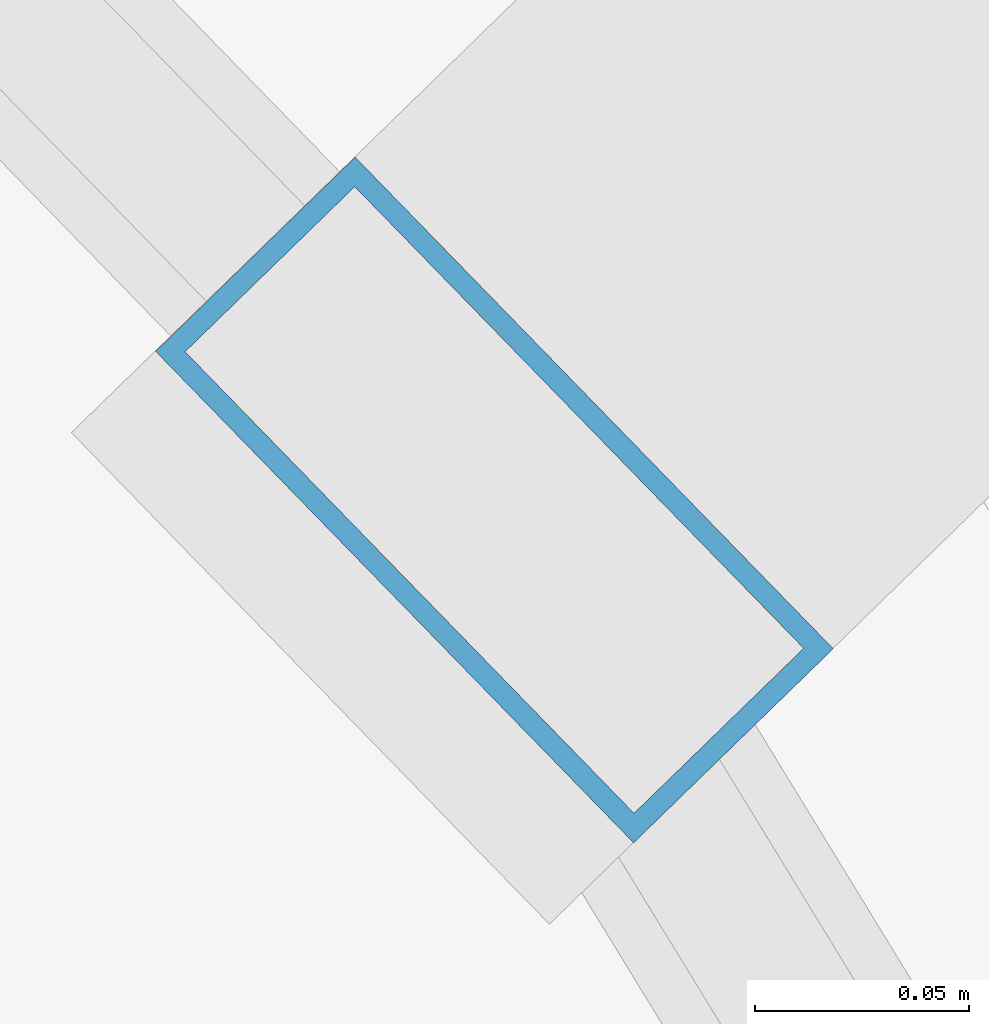
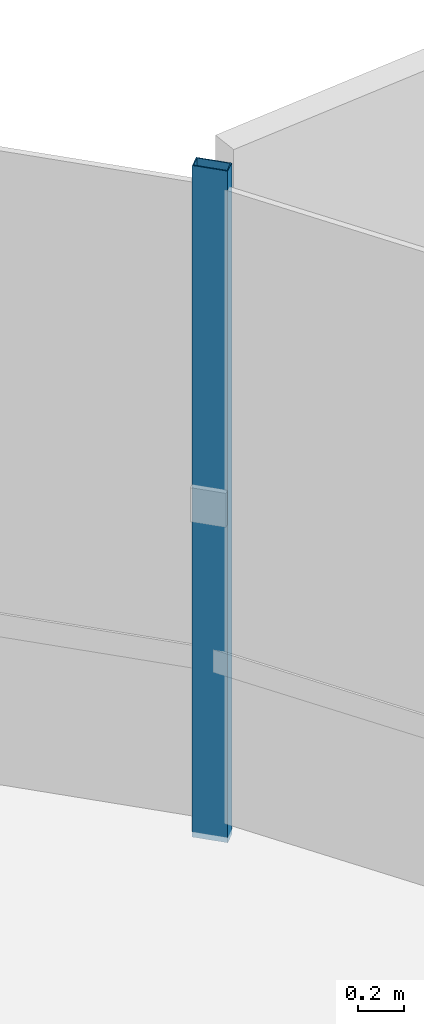
# One storey, part 25 of 38: 1 member, 1 element without a shape of its own.
"""IFC4 building model written with IfcOpenShell, lengths in metres."""

from ifc_helpers import new_model, si_unit, direction, frame, origin, origin_2d, place, context, subcontext, project, spatial, hollow_rectangle, extrude, source, transform, mapped, material, layer, layer_set, material_profile, profile_set, type_object, element, aggregate, save


model = new_model("IFC4")

# Units and contexts
model_context = context("Model", 3, precision=1e-05, world=origin(), true_north=direction((0.0, 1.0)))
body_context = subcontext(model_context, "Body", "Model", "MODEL_VIEW")
ifc_project = project(units=[si_unit("LENGTHUNIT", "METRE"), si_unit("AREAUNIT", "SQUARE_METRE"), si_unit("VOLUMEUNIT", "CUBIC_METRE"), si_unit("PLANEANGLEUNIT", "RADIAN"), si_unit("MASSUNIT", "GRAM", prefix="KILO"), si_unit("THERMODYNAMICTEMPERATUREUNIT", "KELVIN")], contexts=[model_context])

# Site, building, storey
site_placement = place(None, origin())
site = spatial("IfcSite", under=ifc_project, at=site_placement, CompositionType="ELEMENT")
building_placement = place(site_placement, origin())
building = spatial("IfcBuilding", under=site, at=building_placement, Name="Kethvar Cultural Tower", CompositionType="ELEMENT")
storey_placement = place(building_placement, frame((0.0, 0.0, 67.60009765625)))
storey = spatial("IfcBuildingStorey", under=building, at=storey_placement, Name="L16", CompositionType="ELEMENT", Elevation=67.60009765625)

# Curtain wall, member
ifc_material = material(Name="Aluminium 6063-T6", Category="aluminium")
ifc_layer = layer(ifc_material, 0.179931640625, Name="Aluminium 6063-T6", Category="aluminium")
ifc_layer_set = layer_set([ifc_layer], Name="Aluminium 6063-T6 (180 mm)")
curtain_wall_type = type_object("IfcCurtainWallType", Name="CW-SYS-02-Z1", PredefinedType="NOTDEFINED", material=ifc_layer_set)
curtain_wall_placement = place(storey_placement, origin())
curtain_wall = element("IfcCurtainWall", 1, at=curtain_wall_placement, inside=storey, type_object=curtain_wall_type, Name="L16 Curtain Wall Run 01", PredefinedType="NOTDEFINED")
ifc_material_profile = material_profile(ifc_material, hollow_rectangle(XDim=0.06494140625, YDim=0.159912109375, WallThickness=0.0048828125, at=origin_2d()), Name="Aluminium 6063-T6 — RHS160x65x5")
ifc_profile_set = profile_set([ifc_material_profile], Name="Aluminium 6063-T6 — RHS160x65x5")
member_type = type_object("IfcMemberType", Name="CW-SYS-02-Z1-MUL", PredefinedType="MULLION", material=ifc_profile_set)
shared_shape = source(origin(), body_context, "Body", "SweptSolid", [
    extrude(hollow_rectangle(XDim=0.06494140625, YDim=0.159912109375, WallThickness=0.0048828125, at=origin_2d()), origin(), (0.0, 0.0, 1.0), 3.5498046875),
])
member_placement = place(storey_placement, frame((77.300048828125, 41.4296875, 0.0), z_axis=(0.0, 0.0, 1.0), x_axis=(-0.716861934598, -0.697215150958, 0.0)))
member = element("IfcMember", 2, at=member_placement, type_object=member_type, Name="CW-L16-R01 Mullion 3", PredefinedType="MULLION", context=body_context, shape_type="MappedRepresentation", body=[
    mapped(shared_shape, transform((0.0, 0.0, 0.0), scale=1.0)),
])
aggregate(curtain_wall, [member])

save(model, "model.ifc")
